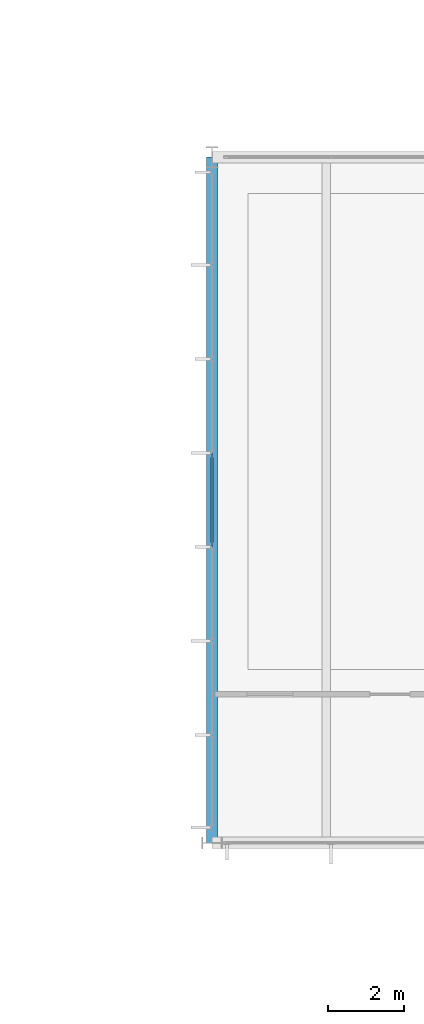
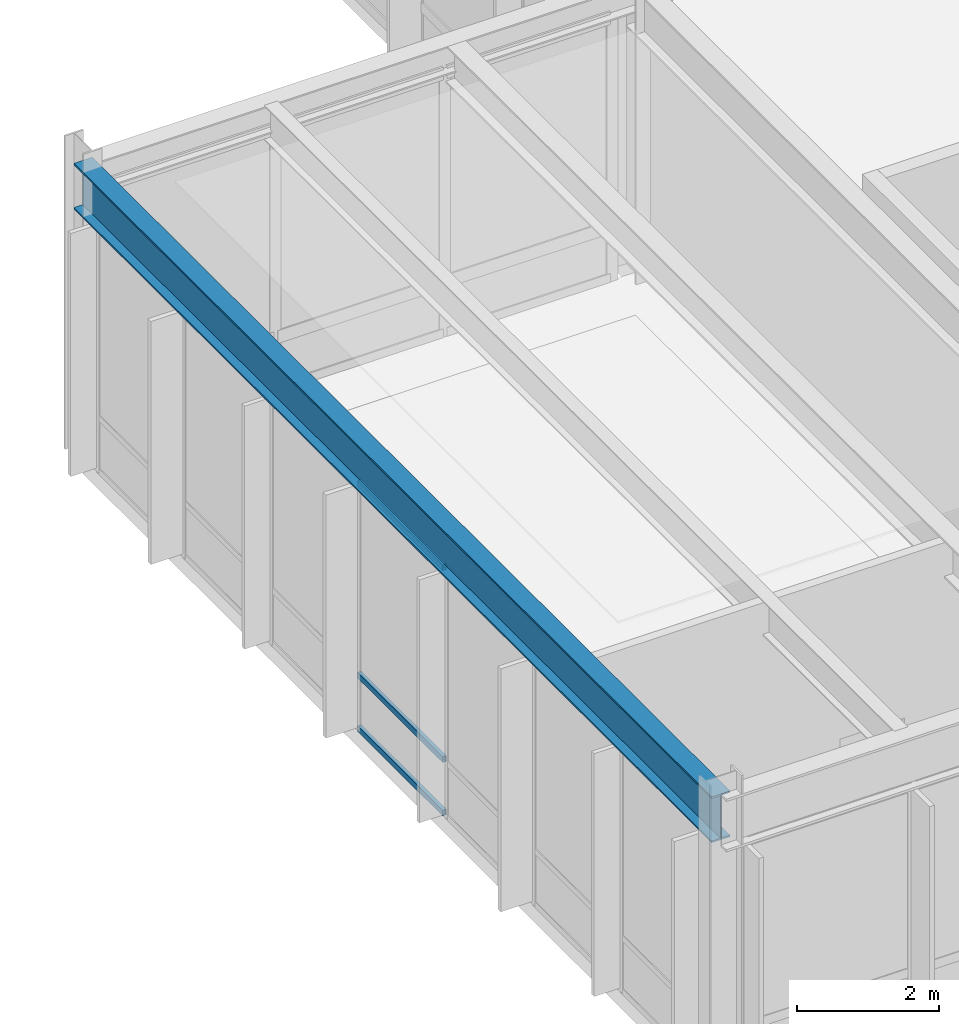
# One storey, part 55 of 143: 3 members, 1 beam, 1 element without a shape of its own.
"""IFC4 building model written with IfcOpenShell, lengths in metres."""

from ifc_helpers import new_model, si_unit, direction, frame, origin, origin_2d, place, context, subcontext, project, spatial, hollow_rectangle, i_section, extrude, material, layer, layer_set, material_profile, profile_set, type_object, element, aggregate, save


model = new_model("IFC4")

# Units and contexts
model_context = context("Model", 3, precision=1e-05, world=origin(), true_north=direction((0.0, 1.0)))
body_context = subcontext(model_context, "Body", "Model", "MODEL_VIEW")
ifc_project = project(units=[si_unit("LENGTHUNIT", "METRE"), si_unit("AREAUNIT", "SQUARE_METRE"), si_unit("VOLUMEUNIT", "CUBIC_METRE"), si_unit("PLANEANGLEUNIT", "RADIAN"), si_unit("MASSUNIT", "GRAM", prefix="KILO")], contexts=[model_context])

# Site, building, storey
site_placement = place(None, origin())
site = spatial("IfcSite", under=ifc_project, at=site_placement, CompositionType="ELEMENT")
building_placement = place(site_placement, origin())
building = spatial("IfcBuilding", under=site, at=building_placement, Name="Montelvaro Courts of Justice", CompositionType="ELEMENT")
storey_placement = place(building_placement, origin())
storey = spatial("IfcBuildingStorey", under=building, at=storey_placement, Name="L00", CompositionType="ELEMENT", Elevation=0.0)

# Beam
ifc_material_1 = material(Name="Steel S355", Category="steel")
ifc_material_profile_1 = material_profile(ifc_material_1, i_section(OverallWidth=0.300048828125, OverallDepth=0.7900390625, WebThickness=0.014892578125, FlangeThickness=0.028076171875, at=origin_2d()), Name="HEA 800")
ifc_profile_set_1 = profile_set([ifc_material_profile_1], Name="Steel S355")
beam_type = type_object("IfcBeamType", Name="Beam_HEA800", PredefinedType="USERDEFINED", material=ifc_profile_set_1)
beam_placement = place(storey_placement, frame((18.0, 78.0, 4.68505859375), z_axis=(0.0, 1.0, 0.0), x_axis=(-1.0, 0.0, 0.0)))
element("IfcBeam", 1, at=beam_placement, inside=storey, type_object=beam_type, Name="Beam B-24 L00", ObjectType="GIRDER", PredefinedType="USERDEFINED", context=body_context, shape_type="SweptSolid", body=[
    extrude(i_section(OverallWidth=0.300048828125, OverallDepth=0.7900390625, WebThickness=0.014892578125, FlangeThickness=0.028076171875, at=origin_2d()), origin(), (0.0, 0.0, 1.0), 18.0),
])

# Curtain wall, members
ifc_material_2 = material(Name="Anodised aluminium EN AW-6063", Category="aluminium")
ifc_layer = layer(ifc_material_2, 0.159912109375)
ifc_layer_set = layer_set([ifc_layer], Name="Anodised aluminium EN AW-6063")
curtain_wall_type = type_object("IfcCurtainWallType", Name="CurtainWall_02_1727x508", PredefinedType="USERDEFINED", material=ifc_layer_set)
curtain_wall_placement = place(storey_placement, origin())
curtain_wall = element("IfcCurtainWall", 2, at=curtain_wall_placement, inside=storey, type_object=curtain_wall_type, Name="Curtain Wall CW-02 (L00)", ObjectType="CURTAIN WALL", PredefinedType="USERDEFINED")
ifc_material_profile_2 = material_profile(ifc_material_2, hollow_rectangle(XDim=0.06005859375, YDim=0.10009765625, WallThickness=0.00341796875, at=origin_2d()), Name="ALU-T 60x100")
ifc_profile_set_2 = profile_set([ifc_material_profile_2], Name="Anodised aluminium EN AW-6063")
member_type = type_object("IfcMemberType", Name="CurtainWall_Transom_60x100", PredefinedType="USERDEFINED", material=ifc_profile_set_2)
member_1_placement = place(storey_placement, frame((18.0, 88.201171875, 0.030029296875), z_axis=(0.0, -1.0, 0.0), x_axis=(1.0, 0.0, 0.0)))
member_1 = element("IfcMember", 3, at=member_1_placement, type_object=member_type, Name="CW-02 transom 4.1", ObjectType="TRANSOM", PredefinedType="USERDEFINED", context=body_context, shape_type="SweptSolid", body=[
    extrude(hollow_rectangle(XDim=0.06005859375, YDim=0.10009765625, WallThickness=0.00341796875, at=origin_2d()), origin(), (0.0, 0.0, 1.0), 2.40234375),
])
member_2_placement = place(storey_placement, frame((18.0, 88.201171875, 0.949951171875), z_axis=(0.0, -1.0, 0.0), x_axis=(1.0, 0.0, 0.0)))
member_2 = element("IfcMember", 4, at=member_2_placement, type_object=member_type, Name="CW-02 transom 4.2", ObjectType="TRANSOM", PredefinedType="USERDEFINED", context=body_context, shape_type="SweptSolid", body=[
    extrude(hollow_rectangle(XDim=0.06005859375, YDim=0.10009765625, WallThickness=0.00341796875, at=origin_2d()), origin(), (0.0, 0.0, 1.0), 2.40234375),
])
member_3_placement = place(storey_placement, frame((18.0, 88.201171875, 4.2548828125), z_axis=(0.0, -1.0, 0.0), x_axis=(1.0, 0.0, 0.0)))
member_3 = element("IfcMember", 5, at=member_3_placement, type_object=member_type, Name="CW-02 transom 4.3", ObjectType="TRANSOM", PredefinedType="USERDEFINED", context=body_context, shape_type="SweptSolid", body=[
    extrude(hollow_rectangle(XDim=0.06005859375, YDim=0.10009765625, WallThickness=0.00341796875, at=origin_2d()), origin(), (0.0, 0.0, 1.0), 2.40234375),
])
aggregate(curtain_wall, [member_1, member_2, member_3])

save(model, "model.ifc")
